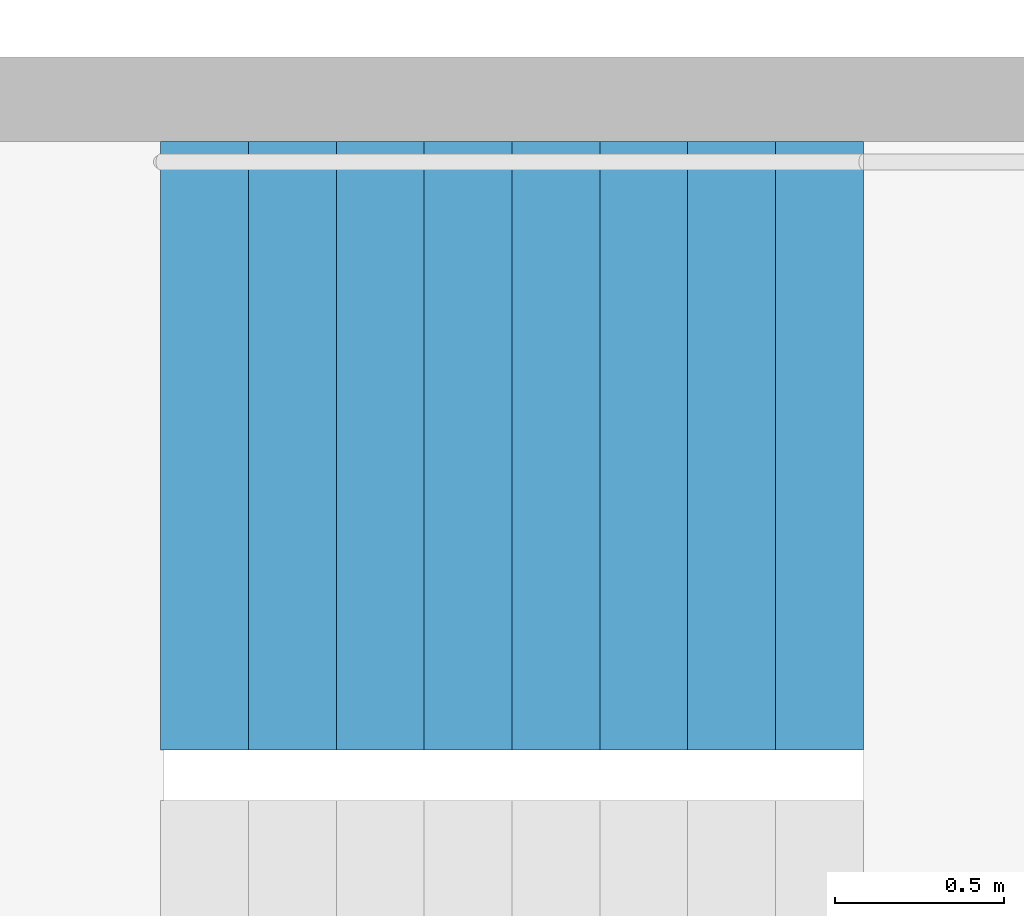
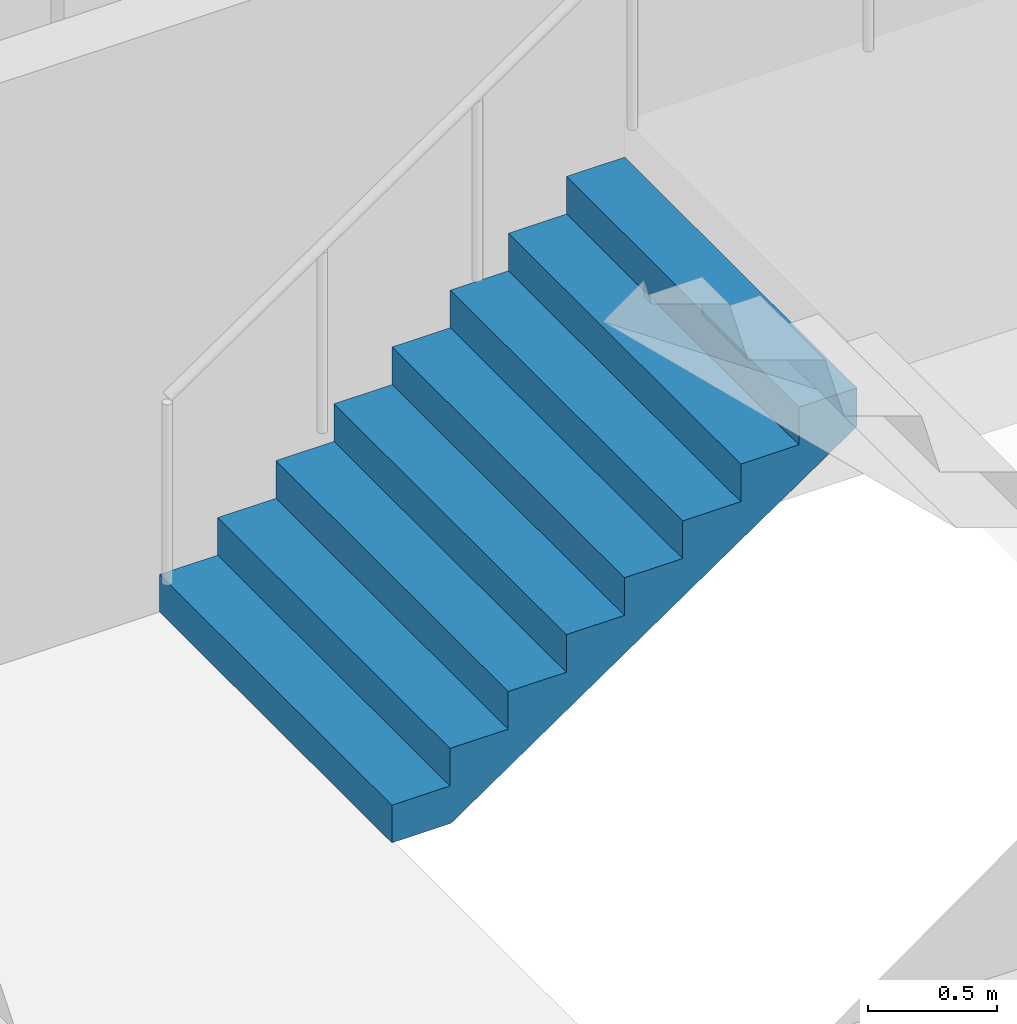
# One storey, part 24 of 27: 1 stair flight, 1 element without a shape of its own.
"""IFC4 building model written with IfcOpenShell, lengths in metres."""

from ifc_helpers import new_model, si_unit, direction, frame, origin, place, context, subcontext, project, spatial, triangles, material, type_object, element, aggregate, save


model = new_model("IFC4")

# Units and contexts
model_context = context("Model", 3, precision=1e-05, world=origin(), true_north=direction((0.0, 1.0)))
body_context = subcontext(model_context, "Body", "Model", "MODEL_VIEW")
ifc_project = project(units=[si_unit("LENGTHUNIT", "METRE"), si_unit("AREAUNIT", "SQUARE_METRE"), si_unit("VOLUMEUNIT", "CUBIC_METRE"), si_unit("PLANEANGLEUNIT", "RADIAN"), si_unit("MASSUNIT", "GRAM", prefix="KILO")], contexts=[model_context])

# Site, building, storey
site_placement = place(None, origin())
site = spatial("IfcSite", under=ifc_project, at=site_placement, CompositionType="ELEMENT")
building_placement = place(site_placement, origin())
building = spatial("IfcBuilding", under=site, at=building_placement, Name="Hakoniwa Tower and Hamabe Station Hall", CompositionType="ELEMENT")
storey_placement = place(building_placement, frame((0.0, 0.0, 261.39990234375)))
storey = spatial("IfcBuildingStorey", under=building, at=storey_placement, Name="L74", CompositionType="ELEMENT", Elevation=261.39990234375)

# Stair, stair flight
ifc_material_1 = material(Name="Concrete C40", Category="concrete")
stair_type = type_object("IfcStairType", Name="ESCAPE STAIR 1800", PredefinedType="HALF_TURN_STAIR", material=ifc_material_1)
stair_placement = place(storey_placement, origin())
stair = element("IfcStair", 1, at=stair_placement, inside=storey, type_object=stair_type, Name="Escape stair ST-4 L74", PredefinedType="HALF_TURN_STAIR")
ifc_material_2 = material(Name="Concrete C40", Category="concrete")
stair_flight_type = type_object("IfcStairFlightType", Name="STAIR FLIGHT 1800", PredefinedType="STRAIGHT", material=ifc_material_2)
stair_flight_placement = place(storey_placement, frame((23.39990234375, -4.64990234375, 0.0), z_axis=(0.0, 0.0, 1.0), x_axis=(1.0, 0.0, 0.0)))
stair_flight = element("IfcStairFlight", 2, at=stair_flight_placement, type_object=stair_flight_type, Name="ST-4 flight 1", NumberOfRisers=9, NumberOfTreads=8, PredefinedType="STRAIGHT", RiserHeight=0.177777778, TreadLength=0.26, context=body_context, shape_type="Tessellation", body=[
    triangles([(0.0, 0.89990234375, 0.0), (0.260009765625, 0.89990234375, 0.0), (0.265625, 0.89990234375, 0.0), (0.52001953125, 0.89990234375, 0.174072265625), (0.780029296875, 0.89990234375, 0.351806640625), (1.0400390625, 0.89990234375, 0.529541015625), (1.300048828125, 0.89990234375, 0.707275390625), (1.56005859375, 0.89990234375, 0.885009765625), (1.820068359375, 0.89990234375, 1.062744140625), (2.080078125, 0.89990234375, 1.24072265625), (2.080078125, 0.89990234375, 1.422119140625), (1.820068359375, 0.89990234375, 1.422119140625), (1.820068359375, 0.89990234375, 1.244384765625), (1.56005859375, 0.89990234375, 1.244384765625), (1.56005859375, 0.89990234375, 1.066650390625), (1.300048828125, 0.89990234375, 1.066650390625), (1.300048828125, 0.89990234375, 0.888916015625), (1.0400390625, 0.89990234375, 0.888916015625), (1.0400390625, 0.89990234375, 0.711181640625), (0.780029296875, 0.89990234375, 0.711181640625), (0.780029296875, 0.89990234375, 0.533447265625), (0.52001953125, 0.89990234375, 0.533447265625), (0.52001953125, 0.89990234375, 0.35546875), (0.265625, 0.89990234375, 0.35546875), (0.260009765625, 0.89990234375, 0.35546875), (0.260009765625, 0.89990234375, 0.177734375), (0.0, 0.89990234375, 0.177734375), (0.0, 0.06005859375, 0.0), (0.260009765625, 0.06005859375, 0.0), (0.265625, 0.06005859375, 0.0), (0.52001953125, 0.06005859375, 0.174072265625), (0.780029296875, 0.06005859375, 0.351806640625), (1.0400390625, 0.06005859375, 0.529541015625), (1.300048828125, 0.06005859375, 0.707275390625), (1.56005859375, 0.06005859375, 0.885009765625), (1.820068359375, 0.06005859375, 1.062744140625), (2.080078125, 0.06005859375, 1.24072265625), (2.080078125, 0.06005859375, 1.422119140625), (1.820068359375, 0.06005859375, 1.422119140625), (1.820068359375, 0.06005859375, 1.244384765625), (1.56005859375, 0.06005859375, 1.244384765625), (1.56005859375, 0.06005859375, 1.066650390625), (1.300048828125, 0.06005859375, 1.066650390625), (1.300048828125, 0.06005859375, 0.888916015625), (1.0400390625, 0.06005859375, 0.888916015625), (1.0400390625, 0.06005859375, 0.711181640625), (0.780029296875, 0.06005859375, 0.711181640625), (0.780029296875, 0.06005859375, 0.533447265625), (0.52001953125, 0.06005859375, 0.533447265625), (0.52001953125, 0.06005859375, 0.35546875), (0.265625, 0.06005859375, 0.35546875), (0.260009765625, 0.06005859375, 0.35546875), (0.260009765625, 0.06005859375, 0.177734375), (0.0, 0.06005859375, 0.177734375), (0.0, 0.04296875, 0.0), (0.260009765625, 0.04296875, 0.0), (0.265625, 0.04296875, 0.0), (0.52001953125, 0.04296875, 0.174072265625), (0.780029296875, 0.04296875, 0.351806640625), (1.0400390625, 0.04296875, 0.529541015625), (1.300048828125, 0.04296875, 0.707275390625), (1.56005859375, 0.04296875, 0.885009765625), (1.820068359375, 0.04296875, 1.062744140625), (2.080078125, 0.04296875, 1.24072265625), (2.080078125, 0.04296875, 1.422119140625), (1.820068359375, 0.04296875, 1.422119140625), (1.820068359375, 0.04296875, 1.244384765625), (1.56005859375, 0.04296875, 1.244384765625), (1.56005859375, 0.04296875, 1.066650390625), (1.300048828125, 0.04296875, 1.066650390625), (1.300048828125, 0.04296875, 0.888916015625), (1.0400390625, 0.04296875, 0.888916015625), (1.0400390625, 0.04296875, 0.711181640625), (0.780029296875, 0.04296875, 0.711181640625), (0.780029296875, 0.04296875, 0.533447265625), (0.52001953125, 0.04296875, 0.533447265625), (0.52001953125, 0.04296875, 0.35546875), (0.265625, 0.04296875, 0.35546875), (0.260009765625, 0.04296875, 0.35546875), (0.260009765625, 0.04296875, 0.177734375), (0.0, 0.04296875, 0.177734375), (0.0, 0.025634765625, 0.0), (0.260009765625, 0.025634765625, 0.0), (0.265625, 0.025634765625, 0.0), (0.52001953125, 0.025634765625, 0.174072265625), (0.780029296875, 0.025634765625, 0.351806640625), (1.0400390625, 0.025634765625, 0.529541015625), (1.300048828125, 0.025634765625, 0.707275390625), (1.56005859375, 0.025634765625, 0.885009765625), (1.820068359375, 0.025634765625, 1.062744140625), (2.080078125, 0.025634765625, 1.24072265625), (2.080078125, 0.025634765625, 1.422119140625), (1.820068359375, 0.025634765625, 1.422119140625), (1.820068359375, 0.025634765625, 1.244384765625), (1.56005859375, 0.025634765625, 1.244384765625), (1.56005859375, 0.025634765625, 1.066650390625), (1.300048828125, 0.025634765625, 1.066650390625), (1.300048828125, 0.025634765625, 0.888916015625), (1.0400390625, 0.025634765625, 0.888916015625), (1.0400390625, 0.025634765625, 0.711181640625), (0.780029296875, 0.025634765625, 0.711181640625), (0.780029296875, 0.025634765625, 0.533447265625), (0.52001953125, 0.025634765625, 0.533447265625), (0.52001953125, 0.025634765625, 0.35546875), (0.265625, 0.025634765625, 0.35546875), (0.260009765625, 0.025634765625, 0.35546875), (0.260009765625, 0.025634765625, 0.177734375), (0.0, 0.025634765625, 0.177734375), (0.0, 0.008544921875, 0.0), (0.260009765625, 0.008544921875, 0.0), (0.265625, 0.008544921875, 0.0), (0.52001953125, 0.008544921875, 0.174072265625), (0.780029296875, 0.008544921875, 0.351806640625), (1.0400390625, 0.008544921875, 0.529541015625), (1.300048828125, 0.008544921875, 0.707275390625), (1.56005859375, 0.008544921875, 0.885009765625), (1.820068359375, 0.008544921875, 1.062744140625), (2.080078125, 0.008544921875, 1.24072265625), (2.080078125, 0.008544921875, 1.422119140625), (1.820068359375, 0.008544921875, 1.422119140625), (1.820068359375, 0.008544921875, 1.244384765625), (1.56005859375, 0.008544921875, 1.244384765625), (1.56005859375, 0.008544921875, 1.066650390625), (1.300048828125, 0.008544921875, 1.066650390625), (1.300048828125, 0.008544921875, 0.888916015625), (1.0400390625, 0.008544921875, 0.888916015625), (1.0400390625, 0.008544921875, 0.711181640625), (0.780029296875, 0.008544921875, 0.711181640625), (0.780029296875, 0.008544921875, 0.533447265625), (0.52001953125, 0.008544921875, 0.533447265625), (0.52001953125, 0.008544921875, 0.35546875), (0.265625, 0.008544921875, 0.35546875), (0.260009765625, 0.008544921875, 0.35546875), (0.260009765625, 0.008544921875, 0.177734375), (0.0, 0.008544921875, 0.177734375), (0.0, -0.008544921875, 0.0), (0.260009765625, -0.008544921875, 0.0), (0.265625, -0.008544921875, 0.0), (0.52001953125, -0.008544921875, 0.174072265625), (0.780029296875, -0.008544921875, 0.351806640625), (1.0400390625, -0.008544921875, 0.529541015625), (1.300048828125, -0.008544921875, 0.707275390625), (1.56005859375, -0.008544921875, 0.885009765625), (1.820068359375, -0.008544921875, 1.062744140625), (2.080078125, -0.008544921875, 1.24072265625), (2.080078125, -0.008544921875, 1.422119140625), (1.820068359375, -0.008544921875, 1.422119140625), (1.820068359375, -0.008544921875, 1.244384765625), (1.56005859375, -0.008544921875, 1.244384765625), (1.56005859375, -0.008544921875, 1.066650390625), (1.300048828125, -0.008544921875, 1.066650390625), (1.300048828125, -0.008544921875, 0.888916015625), (1.0400390625, -0.008544921875, 0.888916015625), (1.0400390625, -0.008544921875, 0.711181640625), (0.780029296875, -0.008544921875, 0.711181640625), (0.780029296875, -0.008544921875, 0.533447265625), (0.52001953125, -0.008544921875, 0.533447265625), (0.52001953125, -0.008544921875, 0.35546875), (0.265625, -0.008544921875, 0.35546875), (0.260009765625, -0.008544921875, 0.35546875), (0.260009765625, -0.008544921875, 0.177734375), (0.0, -0.008544921875, 0.177734375), (0.0, -0.025634765625, 0.0), (0.260009765625, -0.025634765625, 0.0), (0.265625, -0.025634765625, 0.0), (0.52001953125, -0.025634765625, 0.174072265625), (0.780029296875, -0.025634765625, 0.351806640625), (1.0400390625, -0.025634765625, 0.529541015625), (1.300048828125, -0.025634765625, 0.707275390625), (1.56005859375, -0.025634765625, 0.885009765625), (1.820068359375, -0.025634765625, 1.062744140625), (2.080078125, -0.025634765625, 1.24072265625), (2.080078125, -0.025634765625, 1.422119140625), (1.820068359375, -0.025634765625, 1.422119140625), (1.820068359375, -0.025634765625, 1.244384765625), (1.56005859375, -0.025634765625, 1.244384765625), (1.56005859375, -0.025634765625, 1.066650390625), (1.300048828125, -0.025634765625, 1.066650390625), (1.300048828125, -0.025634765625, 0.888916015625), (1.0400390625, -0.025634765625, 0.888916015625), (1.0400390625, -0.025634765625, 0.711181640625), (0.780029296875, -0.025634765625, 0.711181640625), (0.780029296875, -0.025634765625, 0.533447265625), (0.52001953125, -0.025634765625, 0.533447265625), (0.52001953125, -0.025634765625, 0.35546875), (0.265625, -0.025634765625, 0.35546875), (0.260009765625, -0.025634765625, 0.35546875), (0.260009765625, -0.025634765625, 0.177734375), (0.0, -0.025634765625, 0.177734375), (0.0, -0.04296875, 0.0), (0.260009765625, -0.04296875, 0.0), (0.265625, -0.04296875, 0.0), (0.52001953125, -0.04296875, 0.174072265625), (0.780029296875, -0.04296875, 0.351806640625), (1.0400390625, -0.04296875, 0.529541015625), (1.300048828125, -0.04296875, 0.707275390625), (1.56005859375, -0.04296875, 0.885009765625), (1.820068359375, -0.04296875, 1.062744140625), (2.080078125, -0.04296875, 1.24072265625), (2.080078125, -0.04296875, 1.422119140625), (1.820068359375, -0.04296875, 1.422119140625), (1.820068359375, -0.04296875, 1.244384765625), (1.56005859375, -0.04296875, 1.244384765625), (1.56005859375, -0.04296875, 1.066650390625), (1.300048828125, -0.04296875, 1.066650390625), (1.300048828125, -0.04296875, 0.888916015625), (1.0400390625, -0.04296875, 0.888916015625), (1.0400390625, -0.04296875, 0.711181640625), (0.780029296875, -0.04296875, 0.711181640625), (0.780029296875, -0.04296875, 0.533447265625), (0.52001953125, -0.04296875, 0.533447265625), (0.52001953125, -0.04296875, 0.35546875), (0.265625, -0.04296875, 0.35546875), (0.260009765625, -0.04296875, 0.35546875), (0.260009765625, -0.04296875, 0.177734375), (0.0, -0.04296875, 0.177734375), (0.0, -0.06005859375, 0.0), (0.260009765625, -0.06005859375, 0.0), (0.265625, -0.06005859375, 0.0), (0.52001953125, -0.06005859375, 0.174072265625), (0.780029296875, -0.06005859375, 0.351806640625), (1.0400390625, -0.06005859375, 0.529541015625), (1.300048828125, -0.06005859375, 0.707275390625), (1.56005859375, -0.06005859375, 0.885009765625), (1.820068359375, -0.06005859375, 1.062744140625), (2.080078125, -0.06005859375, 1.24072265625), (2.080078125, -0.06005859375, 1.422119140625), (1.820068359375, -0.06005859375, 1.422119140625), (1.820068359375, -0.06005859375, 1.244384765625), (1.56005859375, -0.06005859375, 1.244384765625), (1.56005859375, -0.06005859375, 1.066650390625), (1.300048828125, -0.06005859375, 1.066650390625), (1.300048828125, -0.06005859375, 0.888916015625), (1.0400390625, -0.06005859375, 0.888916015625), (1.0400390625, -0.06005859375, 0.711181640625), (0.780029296875, -0.06005859375, 0.711181640625), (0.780029296875, -0.06005859375, 0.533447265625), (0.52001953125, -0.06005859375, 0.533447265625), (0.52001953125, -0.06005859375, 0.35546875), (0.265625, -0.06005859375, 0.35546875), (0.260009765625, -0.06005859375, 0.35546875), (0.260009765625, -0.06005859375, 0.177734375), (0.0, -0.06005859375, 0.177734375), (0.0, -0.89990234375, 0.0), (0.260009765625, -0.89990234375, 0.0), (0.265625, -0.89990234375, 0.0), (0.52001953125, -0.89990234375, 0.174072265625), (0.780029296875, -0.89990234375, 0.351806640625), (1.0400390625, -0.89990234375, 0.529541015625), (1.300048828125, -0.89990234375, 0.707275390625), (1.56005859375, -0.89990234375, 0.885009765625), (1.820068359375, -0.89990234375, 1.062744140625), (2.080078125, -0.89990234375, 1.24072265625), (2.080078125, -0.89990234375, 1.422119140625), (1.820068359375, -0.89990234375, 1.422119140625), (1.820068359375, -0.89990234375, 1.244384765625), (1.56005859375, -0.89990234375, 1.244384765625), (1.56005859375, -0.89990234375, 1.066650390625), (1.300048828125, -0.89990234375, 1.066650390625), (1.300048828125, -0.89990234375, 0.888916015625), (1.0400390625, -0.89990234375, 0.888916015625), (1.0400390625, -0.89990234375, 0.711181640625), (0.780029296875, -0.89990234375, 0.711181640625), (0.780029296875, -0.89990234375, 0.533447265625), (0.52001953125, -0.89990234375, 0.533447265625), (0.52001953125, -0.89990234375, 0.35546875), (0.265625, -0.89990234375, 0.35546875), (0.260009765625, -0.89990234375, 0.35546875), (0.260009765625, -0.89990234375, 0.177734375), (0.0, -0.89990234375, 0.177734375)], [[2, 27, 26], [245, 269, 270], [2, 1, 27], [245, 270, 244], [3, 25, 24], [246, 267, 268], [3, 26, 25], [246, 268, 269], [3, 2, 26], [246, 269, 245], [4, 24, 23], [247, 266, 267], [4, 3, 24], [247, 267, 246], [5, 22, 21], [248, 264, 265], [5, 23, 22], [248, 265, 266], [5, 4, 23], [248, 266, 247], [6, 20, 19], [249, 262, 263], [6, 21, 20], [249, 263, 264], [6, 5, 21], [249, 264, 248], [7, 18, 17], [250, 260, 261], [7, 19, 18], [250, 261, 262], [7, 6, 19], [250, 262, 249], [8, 16, 15], [251, 258, 259], [8, 17, 16], [251, 259, 260], [8, 7, 17], [251, 260, 250], [9, 14, 13], [252, 256, 257], [9, 15, 14], [252, 257, 258], [9, 8, 15], [252, 258, 251], [10, 12, 11], [253, 254, 255], [10, 13, 12], [253, 255, 256], [10, 9, 13], [253, 256, 252], [1, 2, 29], [1, 29, 28], [28, 29, 56], [28, 56, 55], [55, 56, 83], [55, 83, 82], [82, 83, 110], [82, 110, 109], [109, 110, 137], [109, 137, 136], [136, 137, 164], [136, 164, 163], [163, 164, 191], [163, 191, 190], [190, 191, 218], [190, 218, 217], [217, 218, 245], [217, 245, 244], [2, 3, 30], [2, 30, 29], [29, 30, 57], [29, 57, 56], [56, 57, 84], [56, 84, 83], [83, 84, 111], [83, 111, 110], [110, 111, 138], [110, 138, 137], [137, 138, 165], [137, 165, 164], [164, 165, 192], [164, 192, 191], [191, 192, 219], [191, 219, 218], [218, 219, 246], [218, 246, 245], [3, 4, 31], [3, 31, 30], [30, 31, 58], [30, 58, 57], [57, 58, 85], [57, 85, 84], [84, 85, 112], [84, 112, 111], [111, 112, 139], [111, 139, 138], [138, 139, 166], [138, 166, 165], [165, 166, 193], [165, 193, 192], [192, 193, 220], [192, 220, 219], [219, 220, 247], [219, 247, 246], [4, 5, 32], [4, 32, 31], [31, 32, 59], [31, 59, 58], [58, 59, 86], [58, 86, 85], [85, 86, 113], [85, 113, 112], [112, 113, 140], [112, 140, 139], [139, 140, 167], [139, 167, 166], [166, 167, 194], [166, 194, 193], [193, 194, 221], [193, 221, 220], [220, 221, 248], [220, 248, 247], [5, 6, 33], [5, 33, 32], [32, 33, 60], [32, 60, 59], [59, 60, 87], [59, 87, 86], [86, 87, 114], [86, 114, 113], [113, 114, 141], [113, 141, 140], [140, 141, 168], [140, 168, 167], [167, 168, 195], [167, 195, 194], [194, 195, 222], [194, 222, 221], [221, 222, 249], [221, 249, 248], [6, 7, 34], [6, 34, 33], [33, 34, 61], [33, 61, 60], [60, 61, 88], [60, 88, 87], [87, 88, 115], [87, 115, 114], [114, 115, 142], [114, 142, 141], [141, 142, 169], [141, 169, 168], [168, 169, 196], [168, 196, 195], [195, 196, 223], [195, 223, 222], [222, 223, 250], [222, 250, 249], [7, 8, 35], [7, 35, 34], [34, 35, 62], [34, 62, 61], [61, 62, 89], [61, 89, 88], [88, 89, 116], [88, 116, 115], [115, 116, 143], [115, 143, 142], [142, 143, 170], [142, 170, 169], [169, 170, 197], [169, 197, 196], [196, 197, 224], [196, 224, 223], [223, 224, 251], [223, 251, 250], [8, 9, 36], [8, 36, 35], [35, 36, 63], [35, 63, 62], [62, 63, 90], [62, 90, 89], [89, 90, 117], [89, 117, 116], [116, 117, 144], [116, 144, 143], [143, 144, 171], [143, 171, 170], [170, 171, 198], [170, 198, 197], [197, 198, 225], [197, 225, 224], [224, 225, 252], [224, 252, 251], [9, 10, 37], [9, 37, 36], [36, 37, 64], [36, 64, 63], [63, 64, 91], [63, 91, 90], [90, 91, 118], [90, 118, 117], [117, 118, 145], [117, 145, 144], [144, 145, 172], [144, 172, 171], [171, 172, 199], [171, 199, 198], [198, 199, 226], [198, 226, 225], [225, 226, 253], [225, 253, 252], [10, 11, 38], [10, 38, 37], [37, 38, 65], [37, 65, 64], [64, 65, 92], [64, 92, 91], [91, 92, 119], [91, 119, 118], [118, 119, 146], [118, 146, 145], [145, 146, 173], [145, 173, 172], [172, 173, 200], [172, 200, 199], [199, 200, 227], [199, 227, 226], [226, 227, 254], [226, 254, 253], [11, 12, 39], [11, 39, 38], [38, 39, 66], [38, 66, 65], [65, 66, 93], [65, 93, 92], [92, 93, 120], [92, 120, 119], [119, 120, 147], [119, 147, 146], [146, 147, 174], [146, 174, 173], [173, 174, 201], [173, 201, 200], [200, 201, 228], [200, 228, 227], [227, 228, 255], [227, 255, 254], [12, 13, 40], [12, 40, 39], [39, 40, 67], [39, 67, 66], [66, 67, 94], [66, 94, 93], [93, 94, 121], [93, 121, 120], [120, 121, 148], [120, 148, 147], [147, 148, 175], [147, 175, 174], [174, 175, 202], [174, 202, 201], [201, 202, 229], [201, 229, 228], [228, 229, 256], [228, 256, 255], [13, 14, 41], [13, 41, 40], [40, 41, 68], [40, 68, 67], [67, 68, 95], [67, 95, 94], [94, 95, 122], [94, 122, 121], [121, 122, 149], [121, 149, 148], [148, 149, 176], [148, 176, 175], [175, 176, 203], [175, 203, 202], [202, 203, 230], [202, 230, 229], [229, 230, 257], [229, 257, 256], [14, 15, 42], [14, 42, 41], [41, 42, 69], [41, 69, 68], [68, 69, 96], [68, 96, 95], [95, 96, 123], [95, 123, 122], [122, 123, 150], [122, 150, 149], [149, 150, 177], [149, 177, 176], [176, 177, 204], [176, 204, 203], [203, 204, 231], [203, 231, 230], [230, 231, 258], [230, 258, 257], [15, 16, 43], [15, 43, 42], [42, 43, 70], [42, 70, 69], [69, 70, 97], [69, 97, 96], [96, 97, 124], [96, 124, 123], [123, 124, 151], [123, 151, 150], [150, 151, 178], [150, 178, 177], [177, 178, 205], [177, 205, 204], [204, 205, 232], [204, 232, 231], [231, 232, 259], [231, 259, 258], [16, 17, 44], [16, 44, 43], [43, 44, 71], [43, 71, 70], [70, 71, 98], [70, 98, 97], [97, 98, 125], [97, 125, 124], [124, 125, 152], [124, 152, 151], [151, 152, 179], [151, 179, 178], [178, 179, 206], [178, 206, 205], [205, 206, 233], [205, 233, 232], [232, 233, 260], [232, 260, 259], [17, 18, 45], [17, 45, 44], [44, 45, 72], [44, 72, 71], [71, 72, 99], [71, 99, 98], [98, 99, 126], [98, 126, 125], [125, 126, 153], [125, 153, 152], [152, 153, 180], [152, 180, 179], [179, 180, 207], [179, 207, 206], [206, 207, 234], [206, 234, 233], [233, 234, 261], [233, 261, 260], [18, 19, 46], [18, 46, 45], [45, 46, 73], [45, 73, 72], [72, 73, 100], [72, 100, 99], [99, 100, 127], [99, 127, 126], [126, 127, 154], [126, 154, 153], [153, 154, 181], [153, 181, 180], [180, 181, 208], [180, 208, 207], [207, 208, 235], [207, 235, 234], [234, 235, 262], [234, 262, 261], [19, 20, 47], [19, 47, 46], [46, 47, 74], [46, 74, 73], [73, 74, 101], [73, 101, 100], [100, 101, 128], [100, 128, 127], [127, 128, 155], [127, 155, 154], [154, 155, 182], [154, 182, 181], [181, 182, 209], [181, 209, 208], [208, 209, 236], [208, 236, 235], [235, 236, 263], [235, 263, 262], [20, 21, 48], [20, 48, 47], [47, 48, 75], [47, 75, 74], [74, 75, 102], [74, 102, 101], [101, 102, 129], [101, 129, 128], [128, 129, 156], [128, 156, 155], [155, 156, 183], [155, 183, 182], [182, 183, 210], [182, 210, 209], [209, 210, 237], [209, 237, 236], [236, 237, 264], [236, 264, 263], [21, 22, 49], [21, 49, 48], [48, 49, 76], [48, 76, 75], [75, 76, 103], [75, 103, 102], [102, 103, 130], [102, 130, 129], [129, 130, 157], [129, 157, 156], [156, 157, 184], [156, 184, 183], [183, 184, 211], [183, 211, 210], [210, 211, 238], [210, 238, 237], [237, 238, 265], [237, 265, 264], [22, 23, 50], [22, 50, 49], [49, 50, 77], [49, 77, 76], [76, 77, 104], [76, 104, 103], [103, 104, 131], [103, 131, 130], [130, 131, 158], [130, 158, 157], [157, 158, 185], [157, 185, 184], [184, 185, 212], [184, 212, 211], [211, 212, 239], [211, 239, 238], [238, 239, 266], [238, 266, 265], [23, 24, 51], [23, 51, 50], [50, 51, 78], [50, 78, 77], [77, 78, 105], [77, 105, 104], [104, 105, 132], [104, 132, 131], [131, 132, 159], [131, 159, 158], [158, 159, 186], [158, 186, 185], [185, 186, 213], [185, 213, 212], [212, 213, 240], [212, 240, 239], [239, 240, 267], [239, 267, 266], [24, 25, 52], [24, 52, 51], [51, 52, 79], [51, 79, 78], [78, 79, 106], [78, 106, 105], [105, 106, 133], [105, 133, 132], [132, 133, 160], [132, 160, 159], [159, 160, 187], [159, 187, 186], [186, 187, 214], [186, 214, 213], [213, 214, 241], [213, 241, 240], [240, 241, 268], [240, 268, 267], [25, 26, 53], [25, 53, 52], [52, 53, 80], [52, 80, 79], [79, 80, 107], [79, 107, 106], [106, 107, 134], [106, 134, 133], [133, 134, 161], [133, 161, 160], [160, 161, 188], [160, 188, 187], [187, 188, 215], [187, 215, 214], [214, 215, 242], [214, 242, 241], [241, 242, 269], [241, 269, 268], [26, 27, 54], [26, 54, 53], [53, 54, 81], [53, 81, 80], [80, 81, 108], [80, 108, 107], [107, 108, 135], [107, 135, 134], [134, 135, 162], [134, 162, 161], [161, 162, 189], [161, 189, 188], [188, 189, 216], [188, 216, 215], [215, 216, 243], [215, 243, 242], [242, 243, 270], [242, 270, 269], [27, 1, 28], [27, 28, 54], [54, 28, 55], [54, 55, 81], [81, 55, 82], [81, 82, 108], [108, 82, 109], [108, 109, 135], [135, 109, 136], [135, 136, 162], [162, 136, 163], [162, 163, 189], [189, 163, 190], [189, 190, 216], [216, 190, 217], [216, 217, 243], [243, 217, 244], [243, 244, 270]], closed=True),
])
aggregate(stair, [stair_flight])

save(model, "model.ifc")
